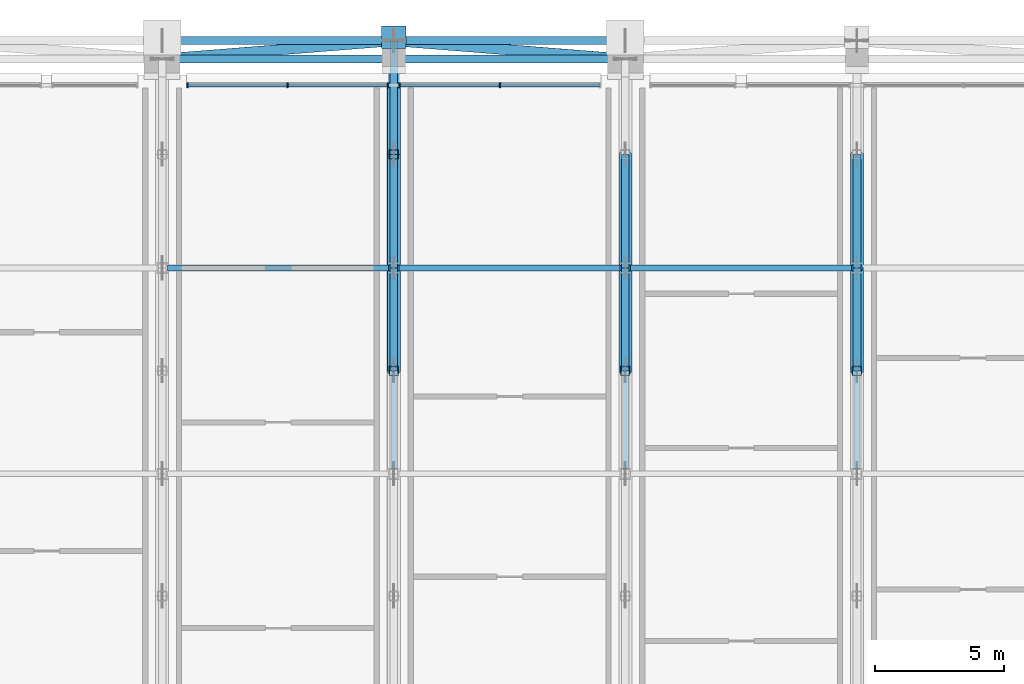
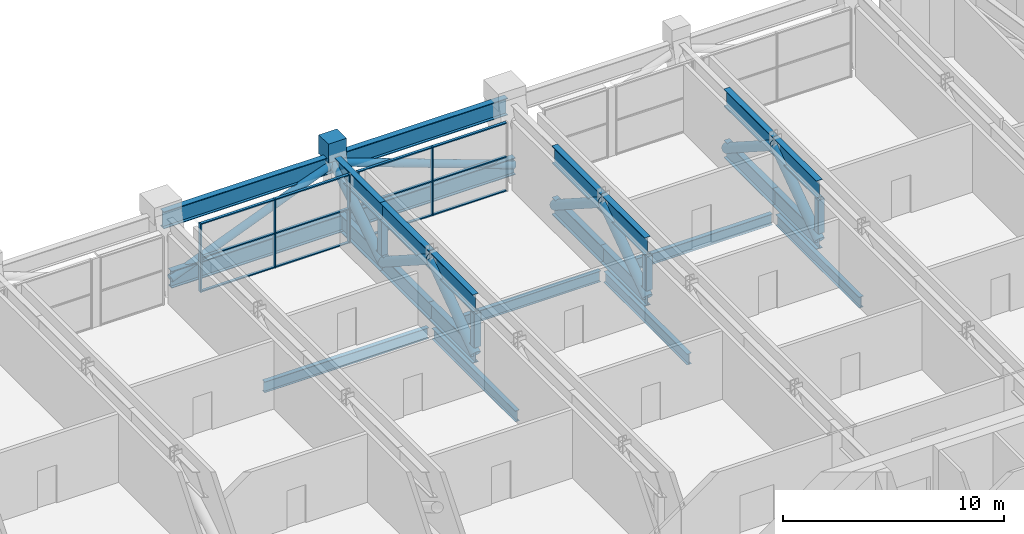
# One storey, part 9 of 26: 48 members, 7 beams, 2 elements without a shape of their own.
"""IFC4 building model written with IfcOpenShell, lengths in metres."""

from ifc_helpers import new_model, si_unit, direction, frame, origin, origin_2d, place, context, subcontext, project, spatial, rectangle, hollow_rectangle, hollow_circle, i_section, extrude, material, material_profile, profile_set, type_object, element, aggregate, save


model = new_model("IFC4")

# Units and contexts
model_context = context("Model", 3, precision=1e-05, world=origin(), true_north=direction((0.0, 1.0)))
body_context = subcontext(model_context, "Body", "Model", "MODEL_VIEW")
ifc_project = project(units=[si_unit("LENGTHUNIT", "METRE"), si_unit("AREAUNIT", "SQUARE_METRE"), si_unit("VOLUMEUNIT", "CUBIC_METRE"), si_unit("PLANEANGLEUNIT", "RADIAN"), si_unit("MASSUNIT", "GRAM", prefix="KILO")], contexts=[model_context])

# Site, building, storey
site_placement = place(None, origin())
site = spatial("IfcSite", under=ifc_project, at=site_placement, CompositionType="ELEMENT")
building_placement = place(site_placement, origin())
building = spatial("IfcBuilding", under=site, at=building_placement, Name="Zellij Exchange Tower", CompositionType="ELEMENT")
storey_placement = place(building_placement, frame((0.0, 0.0, 216.5)))
storey = spatial("IfcBuildingStorey", under=building, at=storey_placement, Name="L50", CompositionType="ELEMENT", Elevation=216.5)

# Curtain wall, members
ifc_material_1 = material(Name="Aluminium frame, clear insulating glass", Category="aluminium")
curtain_wall_type = type_object("IfcCurtainWallType", Name="ENV-CW2 Outrigger-storey glazing", PredefinedType="NOTDEFINED", material=ifc_material_1)
curtain_wall_1_placement = place(storey_placement, origin())
curtain_wall_1 = element("IfcCurtainWall", 1, at=curtain_wall_1_placement, inside=storey, type_object=curtain_wall_type, Name="cw.L50.14d", PredefinedType="NOTDEFINED")
ifc_material_2 = material(Name="Aluminium", Category="aluminium")
ifc_material_profile_1 = material_profile(ifc_material_2, rectangle(XDim=0.06005859375, YDim=0.199951171875, at=origin_2d()), Name="AL 60x200")
ifc_profile_set_1 = profile_set([ifc_material_profile_1], Name="Aluminium")
member_type_1 = type_object("IfcMemberType", Name="ENV-CW2M Mullion 60x200", PredefinedType="MULLION", material=ifc_profile_set_1)
member_1_placement = place(storey_placement, frame((4.125, 29.10009765625, 0.0), z_axis=(0.0, 0.0, 1.0), x_axis=(-1.0, 0.0, 0.0)))
member_1 = element("IfcMember", 2, at=member_1_placement, type_object=member_type_1, Name="CW2 mullion 2", PredefinedType="MULLION", context=body_context, shape_type="SweptSolid", body=[
    extrude(rectangle(XDim=0.06005859375, YDim=0.199951171875, at=origin_2d()), origin(), (0.0, 0.0, 1.0), 3.800048828125),
])
member_2_placement = place(storey_placement, frame((0.22998046875, 29.10009765625, 0.0), z_axis=(0.0, 0.0, 1.0), x_axis=(-1.0, 0.0, 0.0)))
member_2 = element("IfcMember", 3, at=member_2_placement, type_object=member_type_1, Name="CW2 mullion 3", PredefinedType="MULLION", context=body_context, shape_type="SweptSolid", body=[
    extrude(rectangle(XDim=0.06005859375, YDim=0.199951171875, at=origin_2d()), origin(), (0.0, 0.0, 1.0), 3.800048828125),
])

curtain_wall_2_placement = place(storey_placement, origin())
curtain_wall_2 = element("IfcCurtainWall", 4, at=curtain_wall_2_placement, inside=storey, type_object=curtain_wall_type, Name="cw.L50.14e", PredefinedType="NOTDEFINED")
member_3_placement = place(storey_placement, frame((-0.22998046875, 29.10009765625, 0.0), z_axis=(0.0, 0.0, 1.0), x_axis=(-1.0, 0.0, 0.0)))
member_3 = element("IfcMember", 5, at=member_3_placement, type_object=member_type_1, Name="CW2 mullion 1", PredefinedType="MULLION", context=body_context, shape_type="SweptSolid", body=[
    extrude(rectangle(XDim=0.06005859375, YDim=0.199951171875, at=origin_2d()), origin(), (0.0, 0.0, 1.0), 3.800048828125),
])
member_4_placement = place(storey_placement, frame((-4.125, 29.10009765625, 0.0), z_axis=(0.0, 0.0, 1.0), x_axis=(-1.0, 0.0, 0.0)))
member_4 = element("IfcMember", 6, at=member_4_placement, type_object=member_type_1, Name="CW2 mullion 2", PredefinedType="MULLION", context=body_context, shape_type="SweptSolid", body=[
    extrude(rectangle(XDim=0.06005859375, YDim=0.199951171875, at=origin_2d()), origin(), (0.0, 0.0, 1.0), 3.800048828125),
])
member_5_placement = place(storey_placement, frame((-8.02001953125, 29.10009765625, 0.0), z_axis=(0.0, 0.0, 1.0), x_axis=(-1.0, 0.0, 0.0)))
member_5 = element("IfcMember", 7, at=member_5_placement, type_object=member_type_1, Name="CW2 mullion 3", PredefinedType="MULLION", context=body_context, shape_type="SweptSolid", body=[
    extrude(rectangle(XDim=0.06005859375, YDim=0.199951171875, at=origin_2d()), origin(), (0.0, 0.0, 1.0), 3.800048828125),
])

# Member
ifc_material_profile_2 = material_profile(ifc_material_2, rectangle(XDim=0.139892578125, YDim=0.06005859375, at=origin_2d()), Name="AL 140x60")
ifc_profile_set_2 = profile_set([ifc_material_profile_2], Name="Aluminium")
member_type_2 = type_object("IfcMemberType", Name="ENV-CW2T Transom 140x60", PredefinedType="USERDEFINED", material=ifc_profile_set_2)
member_6_placement = place(storey_placement, frame((7.989990234375, 29.10009765625, 0.030029296875), z_axis=(-1.0, 0.0, 0.0), x_axis=(0.0, -1.0, 0.0)))
member_6 = element("IfcMember", 8, at=member_6_placement, type_object=member_type_2, Name="CW2 transom 1.1", ObjectType="TRANSOM", PredefinedType="USERDEFINED", context=body_context, shape_type="SweptSolid", body=[
    extrude(rectangle(XDim=0.139892578125, YDim=0.06005859375, at=origin_2d()), origin(), (0.0, 0.0, 1.0), 3.8349609375),
])

member_7_placement = place(storey_placement, frame((7.989990234375, 29.10009765625, 1.89990234375), z_axis=(-1.0, 0.0, 0.0), x_axis=(0.0, -1.0, 0.0)))
member_7 = element("IfcMember", 9, at=member_7_placement, type_object=member_type_2, Name="CW2 transom 1.2", ObjectType="TRANSOM", PredefinedType="USERDEFINED", context=body_context, shape_type="SweptSolid", body=[
    extrude(rectangle(XDim=0.139892578125, YDim=0.06005859375, at=origin_2d()), origin(), (0.0, 0.0, 1.0), 3.8349609375),
])

member_8_placement = place(storey_placement, frame((7.989990234375, 29.10009765625, 3.77001953125), z_axis=(-1.0, 0.0, 0.0), x_axis=(0.0, -1.0, 0.0)))
member_8 = element("IfcMember", 10, at=member_8_placement, type_object=member_type_2, Name="CW2 transom 1.3", ObjectType="TRANSOM", PredefinedType="USERDEFINED", context=body_context, shape_type="SweptSolid", body=[
    extrude(rectangle(XDim=0.139892578125, YDim=0.06005859375, at=origin_2d()), origin(), (0.0, 0.0, 1.0), 3.8349609375),
])

member_9_placement = place(storey_placement, frame((4.094970703125, 29.10009765625, 0.030029296875), z_axis=(-1.0, 0.0, 0.0), x_axis=(0.0, -1.0, 0.0)))
member_9 = element("IfcMember", 11, at=member_9_placement, type_object=member_type_2, Name="CW2 transom 2.1", ObjectType="TRANSOM", PredefinedType="USERDEFINED", context=body_context, shape_type="SweptSolid", body=[
    extrude(rectangle(XDim=0.139892578125, YDim=0.06005859375, at=origin_2d()), origin(), (0.0, 0.0, 1.0), 3.8349609375),
])

member_10_placement = place(storey_placement, frame((4.094970703125, 29.10009765625, 1.89990234375), z_axis=(-1.0, 0.0, 0.0), x_axis=(0.0, -1.0, 0.0)))
member_10 = element("IfcMember", 12, at=member_10_placement, type_object=member_type_2, Name="CW2 transom 2.2", ObjectType="TRANSOM", PredefinedType="USERDEFINED", context=body_context, shape_type="SweptSolid", body=[
    extrude(rectangle(XDim=0.139892578125, YDim=0.06005859375, at=origin_2d()), origin(), (0.0, 0.0, 1.0), 3.8349609375),
])

member_11_placement = place(storey_placement, frame((4.094970703125, 29.10009765625, 3.77001953125), z_axis=(-1.0, 0.0, 0.0), x_axis=(0.0, -1.0, 0.0)))
member_11 = element("IfcMember", 13, at=member_11_placement, type_object=member_type_2, Name="CW2 transom 2.3", ObjectType="TRANSOM", PredefinedType="USERDEFINED", context=body_context, shape_type="SweptSolid", body=[
    extrude(rectangle(XDim=0.139892578125, YDim=0.06005859375, at=origin_2d()), origin(), (0.0, 0.0, 1.0), 3.8349609375),
])

aggregate(curtain_wall_1, [member_1, member_2, member_6, member_7, member_8, member_9, member_10, member_11])

member_12_placement = place(storey_placement, frame((-0.260009765625, 29.10009765625, 0.030029296875), z_axis=(-1.0, 0.0, 0.0), x_axis=(0.0, -1.0, 0.0)))
member_12 = element("IfcMember", 14, at=member_12_placement, type_object=member_type_2, Name="CW2 transom 1.1", ObjectType="TRANSOM", PredefinedType="USERDEFINED", context=body_context, shape_type="SweptSolid", body=[
    extrude(rectangle(XDim=0.139892578125, YDim=0.06005859375, at=origin_2d()), origin(), (0.0, 0.0, 1.0), 3.8349609375),
])

member_13_placement = place(storey_placement, frame((-0.260009765625, 29.10009765625, 1.89990234375), z_axis=(-1.0, 0.0, 0.0), x_axis=(0.0, -1.0, 0.0)))
member_13 = element("IfcMember", 15, at=member_13_placement, type_object=member_type_2, Name="CW2 transom 1.2", ObjectType="TRANSOM", PredefinedType="USERDEFINED", context=body_context, shape_type="SweptSolid", body=[
    extrude(rectangle(XDim=0.139892578125, YDim=0.06005859375, at=origin_2d()), origin(), (0.0, 0.0, 1.0), 3.8349609375),
])

member_14_placement = place(storey_placement, frame((-0.260009765625, 29.10009765625, 3.77001953125), z_axis=(-1.0, 0.0, 0.0), x_axis=(0.0, -1.0, 0.0)))
member_14 = element("IfcMember", 16, at=member_14_placement, type_object=member_type_2, Name="CW2 transom 1.3", ObjectType="TRANSOM", PredefinedType="USERDEFINED", context=body_context, shape_type="SweptSolid", body=[
    extrude(rectangle(XDim=0.139892578125, YDim=0.06005859375, at=origin_2d()), origin(), (0.0, 0.0, 1.0), 3.8349609375),
])

member_15_placement = place(storey_placement, frame((-4.155029296875, 29.10009765625, 0.030029296875), z_axis=(-1.0, 0.0, 0.0), x_axis=(0.0, -1.0, 0.0)))
member_15 = element("IfcMember", 17, at=member_15_placement, type_object=member_type_2, Name="CW2 transom 2.1", ObjectType="TRANSOM", PredefinedType="USERDEFINED", context=body_context, shape_type="SweptSolid", body=[
    extrude(rectangle(XDim=0.139892578125, YDim=0.06005859375, at=origin_2d()), origin(), (0.0, 0.0, 1.0), 3.8349609375),
])

member_16_placement = place(storey_placement, frame((-4.155029296875, 29.10009765625, 1.89990234375), z_axis=(-1.0, 0.0, 0.0), x_axis=(0.0, -1.0, 0.0)))
member_16 = element("IfcMember", 18, at=member_16_placement, type_object=member_type_2, Name="CW2 transom 2.2", ObjectType="TRANSOM", PredefinedType="USERDEFINED", context=body_context, shape_type="SweptSolid", body=[
    extrude(rectangle(XDim=0.139892578125, YDim=0.06005859375, at=origin_2d()), origin(), (0.0, 0.0, 1.0), 3.8349609375),
])

member_17_placement = place(storey_placement, frame((-4.155029296875, 29.10009765625, 3.77001953125), z_axis=(-1.0, 0.0, 0.0), x_axis=(0.0, -1.0, 0.0)))
member_17 = element("IfcMember", 19, at=member_17_placement, type_object=member_type_2, Name="CW2 transom 2.3", ObjectType="TRANSOM", PredefinedType="USERDEFINED", context=body_context, shape_type="SweptSolid", body=[
    extrude(rectangle(XDim=0.139892578125, YDim=0.06005859375, at=origin_2d()), origin(), (0.0, 0.0, 1.0), 3.8349609375),
])

aggregate(curtain_wall_2, [member_3, member_4, member_5, member_12, member_13, member_14, member_15, member_16, member_17])

# Members
ifc_material_3 = material(Name="Structural steel ASTM A992 Gr 50", Category="steel")
ifc_material_profile_3 = material_profile(ifc_material_3, i_section(OverallWidth=0.307373046875, OverallDepth=0.9423828125, WebThickness=0.022216796875, FlangeThickness=0.039794921875, at=origin_2d()), Name="W36x232")
ifc_profile_set_3 = profile_set([ifc_material_profile_3], Name="Structural steel ASTM A992 Gr 50")
member_type_3 = type_object("IfcMemberType", Name="STR-BELT TRUSS CHORD W36x232", PredefinedType="CHORD", material=ifc_profile_set_3)
for number, where, z_axis, x_axis, name in (
    (20, (-9.0, 30.117919921875, 0.47119140625), (1.0, 0.0, 0.0), (0.0, 1.0, 0.0), "BT1"),
    (21, (-9.0, 30.832275390625, 3.328857421875), (1.0, 0.0, 0.0), (0.0, 1.0, 0.0), "BT1"),
    (22, (0.0, 30.117919921875, 0.47119140625), (1.0, 0.0, 0.0), (0.0, 1.0, 0.0), "BT1"),
    (23, (0.0, 30.832275390625, 3.328857421875), (1.0, 0.0, 0.0), (0.0, 1.0, 0.0), "BT1"),
):
    element("IfcMember", number, at=place(storey_placement, frame(where, z_axis=z_axis, x_axis=x_axis)), inside=storey, type_object=member_type_3, Name=name, PredefinedType="CHORD", context=body_context, shape_type="SweptSolid", body=[
        extrude(i_section(OverallWidth=0.307373046875, OverallDepth=0.9423828125, WebThickness=0.022216796875, FlangeThickness=0.039794921875, at=origin_2d()), origin(), (0.0, 0.0, 1.0), 9.0),
    ])
ifc_material_4 = material(Name="Structural steel ASTM A500 Gr C", Category="steel")
ifc_material_profile_4 = material_profile(ifc_material_4, hollow_circle(Radius=0.203125, WallThickness=0.01171875, at=origin_2d()), Name="STR-BELT TRUSS DIAGONAL HSS16.000x0.500")
ifc_profile_set_4 = profile_set([ifc_material_profile_4], Name="Structural steel ASTM A500 Gr C")
member_type_4 = type_object("IfcMemberType", Name="STR-BELT TRUSS DIAGONAL HSS16.000x0.500", PredefinedType="BRACE", material=ifc_profile_set_4)
for number, where, z_axis, x_axis, name in (
    (24, (-9.0, 30.117919921875, 0.47119140625), (0.950392591406, 0.075435349459, 0.301767178885), (-0.079123978831, 0.996864783195, 0.0), "BT2"),
    (25, (0.0, 30.832275390625, 3.328857421875), (0.950392591406, -0.075435349459, -0.301767178885), (0.079123978831, 0.996864783195, 0.0), "BT2"),
):
    element("IfcMember", number, at=place(storey_placement, frame(where, z_axis=z_axis, x_axis=x_axis)), inside=storey, type_object=member_type_4, Name=name, PredefinedType="BRACE", context=body_context, shape_type="SweptSolid", body=[
        extrude(hollow_circle(Radius=0.203125, WallThickness=0.01171875, at=origin_2d()), origin(), (0.0, 0.0, 1.0), 9.4697265625),
    ])

# Beams
ifc_material_profile_5 = material_profile(ifc_material_3, i_section(OverallWidth=0.228271484375, OverallDepth=0.607177734375, WebThickness=0.01123046875, FlangeThickness=0.017333984375, at=origin_2d()), Name="W24x76")
ifc_profile_set_5 = profile_set([ifc_material_profile_5], Name="Structural steel ASTM A992 Gr 50")
beam_type_1 = type_object("IfcBeamType", Name="STR-GIRDER W24x76", PredefinedType="BEAM", material=ifc_profile_set_5)
for number, where, z_axis, x_axis, name in (
    (26, (-8.79541015625, 22.0, -0.653564453125), (1.0, 0.0, 0.0), (0.0, 1.0, 0.0), "G2"),
    (27, (0.20458984375, 22.0, -0.653564453125), (1.0, 0.0, 0.0), (0.0, 1.0, 0.0), "G2"),
    (28, (9.20458984375, 22.0, -0.653564453125), (1.0, 0.0, 0.0), (0.0, 1.0, 0.0), "G2"),
):
    element("IfcBeam", number, at=place(storey_placement, frame(where, z_axis=z_axis, x_axis=x_axis)), inside=storey, type_object=beam_type_1, Name=name, PredefinedType="BEAM", context=body_context, shape_type="SweptSolid", body=[
        extrude(i_section(OverallWidth=0.228271484375, OverallDepth=0.607177734375, WebThickness=0.01123046875, FlangeThickness=0.017333984375, at=origin_2d()), origin(), (0.0, 0.0, 1.0), 8.5908203125),
    ])
for number, where, z_axis, x_axis, name in (
    (29, (0.0, 14.212158203125, -0.653564453125), (0.0, 1.0, 0.0), (-1.0, 0.0, 0.0), "G2"),
    (30, (9.0, 14.212158203125, -0.653564453125), (0.0, 1.0, 0.0), (-1.0, 0.0, 0.0), "G2"),
    (31, (18.0, 14.212158203125, -0.653564453125), (0.0, 1.0, 0.0), (-1.0, 0.0, 0.0), "G2"),
):
    element("IfcBeam", number, at=place(storey_placement, frame(where, z_axis=z_axis, x_axis=x_axis)), inside=storey, type_object=beam_type_1, Name=name, PredefinedType="BEAM", context=body_context, shape_type="SweptSolid", body=[
        extrude(i_section(OverallWidth=0.228271484375, OverallDepth=0.607177734375, WebThickness=0.01123046875, FlangeThickness=0.017333984375, at=origin_2d()), origin(), (0.0, 0.0, 1.0), 7.57568359375),
    ])
ifc_material_5 = material(Name="Concrete C60/75", Category="concrete")
ifc_material_profile_6 = material_profile(ifc_material_5, rectangle(XDim=0.949951171875, YDim=1.050048828125, at=origin_2d()), Name="STR-KNUCKLE BLOCK RC950x1050 C60/75")
ifc_profile_set_6 = profile_set([ifc_material_profile_6], Name="Concrete C60/75")
beam_type_2 = type_object("IfcBeamType", Name="STR-KNUCKLE BLOCK RC950x1050 C60/75", PredefinedType="BEAM", material=ifc_profile_set_6)
beam_placement = place(storey_placement, frame((0.0, 30.5361328125, 4.125), z_axis=(0.0, 1.0, 0.0), x_axis=(-1.0, 0.0, 0.0)))
element("IfcBeam", 32, at=beam_placement, inside=storey, type_object=beam_type_2, Name="KB2", PredefinedType="BEAM", context=body_context, shape_type="SweptSolid", body=[
    extrude(rectangle(XDim=0.949951171875, YDim=1.050048828125, at=origin_2d()), origin(), (0.0, 0.0, 1.0), 0.873046875),
])

# Members
ifc_material_6 = material(Name="Structural steel ASTM A913 Gr 65", Category="steel")
ifc_material_profile_7 = material_profile(ifc_material_6, i_section(OverallWidth=0.2998046875, OverallDepth=0.965087890625, WebThickness=0.01904296875, FlangeThickness=0.0361328125, at=origin_2d()), Name="W40x249")
ifc_profile_set_7 = profile_set([ifc_material_profile_7], Name="Structural steel ASTM A913 Gr 65")
member_type_5 = type_object("IfcMemberType", Name="STR-OUTRIGGER TRUSS CHORD W40x249", PredefinedType="CHORD", material=ifc_profile_set_7)
for number, where, z_axis, x_axis, name in (
    (33, (0.0, 18.0, 3.3173828125), (0.0, 1.0, 0.0), (-1.0, 0.0, 0.0), "OT1"),
    (34, (0.0, 18.0, 0.482666015625), (0.0, 1.0, 0.0), (-1.0, 0.0, 0.0), "OT1"),
):
    element("IfcMember", number, at=place(storey_placement, frame(where, z_axis=z_axis, x_axis=x_axis)), inside=storey, type_object=member_type_5, Name=name, PredefinedType="CHORD", context=body_context, shape_type="SweptSolid", body=[
        extrude(i_section(OverallWidth=0.2998046875, OverallDepth=0.965087890625, WebThickness=0.01904296875, FlangeThickness=0.0361328125, at=origin_2d()), origin(), (0.0, 0.0, 1.0), 4.0),
    ])
for number, where, z_axis, x_axis, name in (
    (35, (0.0, 22.0, 3.3173828125), (0.0, 1.0, 0.0), (-1.0, 0.0, 0.0), "OT1"),
    (36, (0.0, 22.0, 0.482666015625), (0.0, 1.0, 0.0), (-1.0, 0.0, 0.0), "OT1"),
):
    element("IfcMember", number, at=place(storey_placement, frame(where, z_axis=z_axis, x_axis=x_axis)), inside=storey, type_object=member_type_5, Name=name, PredefinedType="CHORD", context=body_context, shape_type="SweptSolid", body=[
        extrude(i_section(OverallWidth=0.2998046875, OverallDepth=0.965087890625, WebThickness=0.01904296875, FlangeThickness=0.0361328125, at=origin_2d()), origin(), (0.0, 0.0, 1.0), 4.4150390625),
    ])
member_18_placement = place(storey_placement, frame((0.0, 26.4150390625, 3.3173828125), z_axis=(0.0, 1.0, 0.0), x_axis=(-1.0, 0.0, 0.0)))
element("IfcMember", 37, at=member_18_placement, inside=storey, type_object=member_type_5, Name="OT1", PredefinedType="CHORD", context=body_context, shape_type="SweptSolid", body=[
    extrude(i_section(OverallWidth=0.2998046875, OverallDepth=0.965087890625, WebThickness=0.01904296875, FlangeThickness=0.0361328125, at=origin_2d()), origin(), (0.0, 0.0, 1.0), 4.414306640625),
])
member_19_placement = place(storey_placement, frame((0.0, 26.4150390625, 0.482666015625), z_axis=(0.0, 1.0, 0.0), x_axis=(-1.0, 0.0, 0.0)))
element("IfcMember", 38, at=member_19_placement, inside=storey, type_object=member_type_5, Name="OT1", PredefinedType="CHORD", context=body_context, shape_type="SweptSolid", body=[
    extrude(i_section(OverallWidth=0.2998046875, OverallDepth=0.965087890625, WebThickness=0.01904296875, FlangeThickness=0.0361328125, at=origin_2d()), origin(), (0.0, 0.0, 1.0), 3.70556640625),
])
for number, where, z_axis, x_axis, name in (
    (39, (9.0, 18.0, 3.3173828125), (0.0, 1.0, 0.0), (-1.0, 0.0, 0.0), "OT1"),
    (40, (9.0, 18.0, 0.482666015625), (0.0, 1.0, 0.0), (-1.0, 0.0, 0.0), "OT1"),
):
    element("IfcMember", number, at=place(storey_placement, frame(where, z_axis=z_axis, x_axis=x_axis)), inside=storey, type_object=member_type_5, Name=name, PredefinedType="CHORD", context=body_context, shape_type="SweptSolid", body=[
        extrude(i_section(OverallWidth=0.2998046875, OverallDepth=0.965087890625, WebThickness=0.01904296875, FlangeThickness=0.0361328125, at=origin_2d()), origin(), (0.0, 0.0, 1.0), 4.0),
    ])
for number, where, z_axis, x_axis, name in (
    (41, (9.0, 22.0, 3.3173828125), (0.0, 1.0, 0.0), (-1.0, 0.0, 0.0), "OT1"),
    (42, (9.0, 22.0, 0.482666015625), (0.0, 1.0, 0.0), (-1.0, 0.0, 0.0), "OT1"),
):
    element("IfcMember", number, at=place(storey_placement, frame(where, z_axis=z_axis, x_axis=x_axis)), inside=storey, type_object=member_type_5, Name=name, PredefinedType="CHORD", context=body_context, shape_type="SweptSolid", body=[
        extrude(i_section(OverallWidth=0.2998046875, OverallDepth=0.965087890625, WebThickness=0.01904296875, FlangeThickness=0.0361328125, at=origin_2d()), origin(), (0.0, 0.0, 1.0), 4.4150390625),
    ])
for number, where, z_axis, x_axis, name in (
    (43, (18.0, 18.0, 3.3173828125), (0.0, 1.0, 0.0), (-1.0, 0.0, 0.0), "OT1"),
    (44, (18.0, 18.0, 0.482666015625), (0.0, 1.0, 0.0), (-1.0, 0.0, 0.0), "OT1"),
):
    element("IfcMember", number, at=place(storey_placement, frame(where, z_axis=z_axis, x_axis=x_axis)), inside=storey, type_object=member_type_5, Name=name, PredefinedType="CHORD", context=body_context, shape_type="SweptSolid", body=[
        extrude(i_section(OverallWidth=0.2998046875, OverallDepth=0.965087890625, WebThickness=0.01904296875, FlangeThickness=0.0361328125, at=origin_2d()), origin(), (0.0, 0.0, 1.0), 4.0),
    ])
for number, where, z_axis, x_axis, name in (
    (45, (18.0, 22.0, 3.3173828125), (0.0, 1.0, 0.0), (-1.0, 0.0, 0.0), "OT1"),
    (46, (18.0, 22.0, 0.482666015625), (0.0, 1.0, 0.0), (-1.0, 0.0, 0.0), "OT1"),
):
    element("IfcMember", number, at=place(storey_placement, frame(where, z_axis=z_axis, x_axis=x_axis)), inside=storey, type_object=member_type_5, Name=name, PredefinedType="CHORD", context=body_context, shape_type="SweptSolid", body=[
        extrude(i_section(OverallWidth=0.2998046875, OverallDepth=0.965087890625, WebThickness=0.01904296875, FlangeThickness=0.0361328125, at=origin_2d()), origin(), (0.0, 0.0, 1.0), 4.4150390625),
    ])
ifc_material_profile_8 = material_profile(ifc_material_4, hollow_circle(Radius=0.25390625, WallThickness=0.01171875, at=origin_2d()), Name="STR-OUTRIGGER TRUSS DIAGONAL HSS20.000x0.500")
ifc_profile_set_8 = profile_set([ifc_material_profile_8], Name="Structural steel ASTM A500 Gr C")
member_type_6 = type_object("IfcMemberType", Name="STR-OUTRIGGER TRUSS DIAGONAL HSS20.000x0.500", PredefinedType="BRACE", material=ifc_profile_set_8)
member_20_placement = place(storey_placement, frame((0.0, 18.0, 0.482666015625), z_axis=(0.0, 0.815891357609, 0.57820523396), x_axis=(-1.0, 0.0, 0.0)))
element("IfcMember", 47, at=member_20_placement, inside=storey, type_object=member_type_6, Name="OT2", PredefinedType="BRACE", context=body_context, shape_type="SweptSolid", body=[
    extrude(hollow_circle(Radius=0.25390625, WallThickness=0.01171875, at=origin_2d()), origin(), (0.0, 0.0, 1.0), 4.902587890625),
])
member_21_placement = place(storey_placement, frame((0.0, 22.0, 3.3173828125), z_axis=(0.0, 0.841483738631, -0.540282442449), x_axis=(-1.0, 0.0, 0.0)))
element("IfcMember", 48, at=member_21_placement, inside=storey, type_object=member_type_6, Name="OT2", PredefinedType="BRACE", context=body_context, shape_type="SweptSolid", body=[
    extrude(hollow_circle(Radius=0.25390625, WallThickness=0.01171875, at=origin_2d()), origin(), (0.0, 0.0, 1.0), 5.246826171875),
])
member_22_placement = place(storey_placement, frame((0.0, 26.4150390625, 0.482666015625), z_axis=(0.0, 0.84144298271, 0.540345914067), x_axis=(-1.0, 0.0, 0.0)))
element("IfcMember", 49, at=member_22_placement, inside=storey, type_object=member_type_6, Name="OT2", PredefinedType="BRACE", context=body_context, shape_type="SweptSolid", body=[
    extrude(hollow_circle(Radius=0.25390625, WallThickness=0.01171875, at=origin_2d()), origin(), (0.0, 0.0, 1.0), 5.24609375),
])
member_23_placement = place(storey_placement, frame((9.0, 18.0, 0.482666015625), z_axis=(0.0, 0.815891357609, 0.57820523396), x_axis=(-1.0, 0.0, 0.0)))
element("IfcMember", 50, at=member_23_placement, inside=storey, type_object=member_type_6, Name="OT2", PredefinedType="BRACE", context=body_context, shape_type="SweptSolid", body=[
    extrude(hollow_circle(Radius=0.25390625, WallThickness=0.01171875, at=origin_2d()), origin(), (0.0, 0.0, 1.0), 4.902587890625),
])
member_24_placement = place(storey_placement, frame((9.0, 22.0, 3.3173828125), z_axis=(0.0, 0.841483738631, -0.540282442449), x_axis=(-1.0, 0.0, 0.0)))
element("IfcMember", 51, at=member_24_placement, inside=storey, type_object=member_type_6, Name="OT2", PredefinedType="BRACE", context=body_context, shape_type="SweptSolid", body=[
    extrude(hollow_circle(Radius=0.25390625, WallThickness=0.01171875, at=origin_2d()), origin(), (0.0, 0.0, 1.0), 5.246826171875),
])
member_25_placement = place(storey_placement, frame((18.0, 18.0, 0.482666015625), z_axis=(0.0, 0.815891357609, 0.57820523396), x_axis=(-1.0, 0.0, 0.0)))
element("IfcMember", 52, at=member_25_placement, inside=storey, type_object=member_type_6, Name="OT2", PredefinedType="BRACE", context=body_context, shape_type="SweptSolid", body=[
    extrude(hollow_circle(Radius=0.25390625, WallThickness=0.01171875, at=origin_2d()), origin(), (0.0, 0.0, 1.0), 4.902587890625),
])
member_26_placement = place(storey_placement, frame((18.0, 22.0, 3.3173828125), z_axis=(0.0, 0.841483738631, -0.540282442449), x_axis=(-1.0, 0.0, 0.0)))
element("IfcMember", 53, at=member_26_placement, inside=storey, type_object=member_type_6, Name="OT2", PredefinedType="BRACE", context=body_context, shape_type="SweptSolid", body=[
    extrude(hollow_circle(Radius=0.25390625, WallThickness=0.01171875, at=origin_2d()), origin(), (0.0, 0.0, 1.0), 5.246826171875),
])
ifc_material_profile_9 = material_profile(ifc_material_4, hollow_rectangle(XDim=0.355712890625, YDim=0.355712890625, WallThickness=0.01171875, InnerFilletRadius=0.01171875, OuterFilletRadius=0.023681640625, at=origin_2d()), Name="STR-OUTRIGGER TRUSS POST HSS14x14x1/2")
ifc_profile_set_9 = profile_set([ifc_material_profile_9], Name="Structural steel ASTM A500 Gr C")
member_type_7 = type_object("IfcMemberType", Name="STR-OUTRIGGER TRUSS POST HSS14x14x1/2", PredefinedType="POST", material=ifc_profile_set_9)
for number, where, z_axis, x_axis, name in (
    (54, (0.0, 18.0, 0.965087890625), (0.0, 0.0, 1.0), (1.0, 0.0, 0.0), "OT3"),
    (55, (0.0, 26.4150390625, 0.965087890625), (0.0, 0.0, 1.0), (1.0, 0.0, 0.0), "OT3"),
    (56, (9.0, 18.0, 0.965087890625), (0.0, 0.0, 1.0), (1.0, 0.0, 0.0), "OT3"),
    (57, (18.0, 18.0, 0.965087890625), (0.0, 0.0, 1.0), (1.0, 0.0, 0.0), "OT3"),
):
    element("IfcMember", number, at=place(storey_placement, frame(where, z_axis=z_axis, x_axis=x_axis)), inside=storey, type_object=member_type_7, Name=name, PredefinedType="POST", context=body_context, shape_type="SweptSolid", body=[
        extrude(hollow_rectangle(XDim=0.355712890625, YDim=0.355712890625, WallThickness=0.01171875, InnerFilletRadius=0.01171875, OuterFilletRadius=0.023681640625, at=origin_2d()), origin(), (0.0, 0.0, 1.0), 1.86962890625),
    ])

save(model, "model.ifc")
